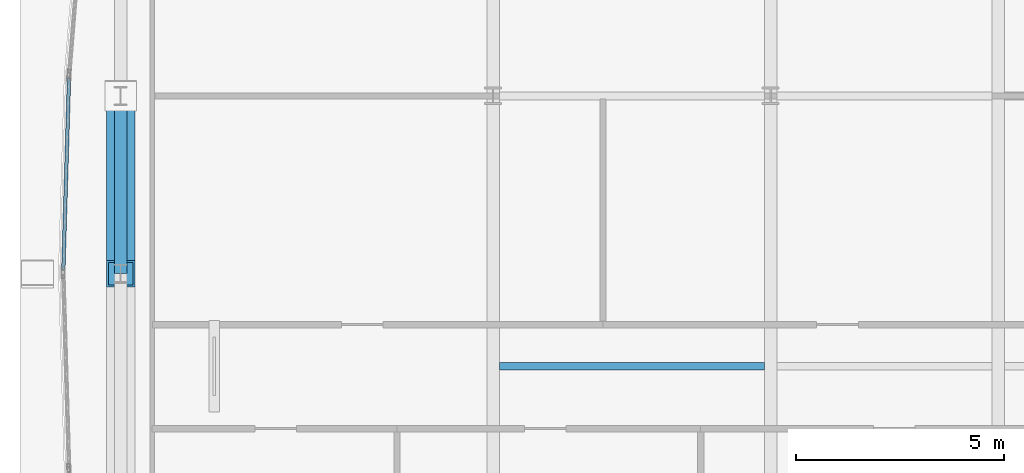
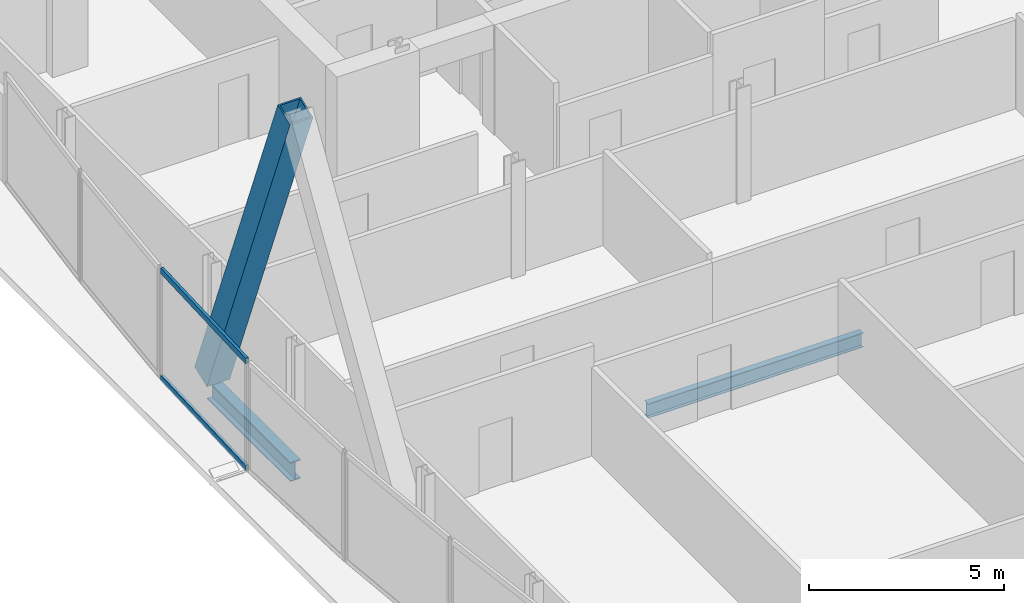
# One storey, part 11 of 30: 3 members, 2 beams, 1 element without a shape of its own.
"""IFC4 building model written with IfcOpenShell, lengths in metres."""

from ifc_helpers import new_model, si_unit, direction, frame, origin, origin_2d, place, context, subcontext, project, spatial, hollow_rectangle, i_section, extrude, material, material_profile, profile_set, type_object, element, aggregate, save


model = new_model("IFC4")

# Units and contexts
model_context = context("Model", 3, precision=1e-05, world=origin(), true_north=direction((0.0, 1.0)))
body_context = subcontext(model_context, "Body", "Model", "MODEL_VIEW")
ifc_project = project(units=[si_unit("LENGTHUNIT", "METRE"), si_unit("AREAUNIT", "SQUARE_METRE"), si_unit("VOLUMEUNIT", "CUBIC_METRE"), si_unit("PLANEANGLEUNIT", "RADIAN"), si_unit("MASSUNIT", "GRAM", prefix="KILO")], contexts=[model_context])

# Site, building, storey
site_placement = place(None, origin())
site = spatial("IfcSite", under=ifc_project, at=site_placement, CompositionType="ELEMENT")
building_placement = place(site_placement, origin())
building = spatial("IfcBuilding", under=site, at=building_placement, Name="Khoronbel Lancet Exchange", CompositionType="ELEMENT")
storey_placement = place(building_placement, frame((0.0, 0.0, 239.0)))
storey = spatial("IfcBuildingStorey", under=building, at=storey_placement, Name="L61", CompositionType="ELEMENT", Elevation=239.0)

# Beams
ifc_material_1 = material(Name="Steel S355", Category="steel")
ifc_material_profile_1 = material_profile(ifc_material_1, i_section(OverallWidth=0.18994140625, OverallDepth=0.449951171875, WebThickness=0.009521484375, FlangeThickness=0.0146484375, at=origin_2d()), Name="IPE 450")
ifc_profile_set_1 = profile_set([ifc_material_profile_1], Name="Steel S355")
beam_type_1 = type_object("IfcBeamType", Name="BM-BJ4", PredefinedType="JOIST", material=ifc_profile_set_1)
beam_1_placement = place(storey_placement, frame((18.375, 29.199951171875, -0.385009765625), z_axis=(1.0, 0.0, 0.0), x_axis=(0.0, 1.0, 0.0)))
element("IfcBeam", 1, at=beam_1_placement, inside=storey, type_object=beam_type_1, Name="Level L61 secondary composite joist J11", PredefinedType="JOIST", context=body_context, shape_type="SweptSolid", body=[
    extrude(i_section(OverallWidth=0.18994140625, OverallDepth=0.449951171875, WebThickness=0.009521484375, FlangeThickness=0.0146484375, at=origin_2d()), origin(), (0.0, 0.0, 1.0), 6.375),
])
ifc_material_profile_2 = material_profile(ifc_material_1, i_section(OverallWidth=0.300048828125, OverallDepth=0.60009765625, WebThickness=0.015380859375, FlangeThickness=0.030029296875, at=origin_2d()), Name="HEB 600")
ifc_profile_set_2 = profile_set([ifc_material_profile_2], Name="Steel S355")
beam_type_2 = type_object("IfcBeamType", Name="BM-BSP2", PredefinedType="SPANDREL", material=ifc_profile_set_2)
beam_2_placement = place(storey_placement, frame((9.27001953125, 35.699951171875, -0.4599609375), z_axis=(0.0, -1.0, 0.0), x_axis=(1.0, 0.0, 0.0)))
element("IfcBeam", 2, at=beam_2_placement, inside=storey, type_object=beam_type_2, Name="Level L61 perimeter spandrel beam SP16", PredefinedType="SPANDREL", context=body_context, shape_type="SweptSolid", body=[
    extrude(i_section(OverallWidth=0.300048828125, OverallDepth=0.60009765625, WebThickness=0.015380859375, FlangeThickness=0.030029296875, at=origin_2d()), origin(), (0.0, 0.0, 1.0), 4.27490234375),
])

# Curtain wall, members
ifc_material_2 = material(Name="Low-E Solar Control Insulating Glass", Category="glass")
curtain_wall_type = type_object("IfcCurtainWallType", Name="CW-4", PredefinedType="NOTDEFINED", material=ifc_material_2)
curtain_wall_placement = place(storey_placement, origin())
curtain_wall = element("IfcCurtainWall", 3, at=curtain_wall_placement, inside=storey, type_object=curtain_wall_type, Name="Unitised curtain wall CW-L61-E07", PredefinedType="NOTDEFINED")
ifc_material_3 = material(Name="Bronze-Anodised Aluminium 6063-T6", Category="aluminium")
ifc_material_profile_3 = material_profile(ifc_material_3, hollow_rectangle(XDim=0.0849609375, YDim=0.179931640625, WallThickness=0.0048828125, at=origin_2d()), Name="ALU TRANSOM 85x180")
ifc_profile_set_3 = profile_set([ifc_material_profile_3], Name="Bronze-Anodised Aluminium 6063-T6")
member_type_1 = type_object("IfcMemberType", Name="MEM-CWT1", PredefinedType="USERDEFINED", material=ifc_profile_set_3)
member_1_placement = place(storey_placement, frame((7.892333984375, 31.52490234375, 0.04248046875), z_axis=(0.029580079929, 0.999562413695, 0.0), x_axis=(-0.999562413695, 0.029580079929, 0.0)))
member_1 = element("IfcMember", 4, at=member_1_placement, type_object=member_type_1, Name="CW4 transom 1.1", ObjectType="TRANSOM", PredefinedType="USERDEFINED", context=body_context, shape_type="SweptSolid", body=[
    extrude(hollow_rectangle(XDim=0.0849609375, YDim=0.179931640625, WallThickness=0.0048828125, at=origin_2d()), origin(), (0.0, 0.0, 1.0), 4.59716796875),
])
member_2_placement = place(storey_placement, frame((7.892333984375, 31.52490234375, 3.3974609375), z_axis=(0.029580079929, 0.999562413695, 0.0), x_axis=(-0.999562413695, 0.029580079929, 0.0)))
member_2 = element("IfcMember", 5, at=member_2_placement, type_object=member_type_1, Name="CW4 transom 1.2", ObjectType="TRANSOM", PredefinedType="USERDEFINED", context=body_context, shape_type="SweptSolid", body=[
    extrude(hollow_rectangle(XDim=0.0849609375, YDim=0.179931640625, WallThickness=0.0048828125, at=origin_2d()), origin(), (0.0, 0.0, 1.0), 4.59716796875),
])
aggregate(curtain_wall, [member_1, member_2])

# Member
ifc_material_4 = material(Name="Steel S460", Category="steel")
ifc_material_profile_4 = material_profile(ifc_material_4, hollow_rectangle(XDim=0.679931640625, YDim=0.679931640625, WallThickness=0.044921875, at=origin_2d()), Name="BOX 680x680x45")
ifc_profile_set_4 = profile_set([ifc_material_profile_4], Name="Steel S460")
member_type_2 = type_object("IfcMemberType", Name="MEM-MB3", PredefinedType="BRACE", material=ifc_profile_set_4)
member_3_placement = place(storey_placement, frame((9.27001953125, 35.699951171875, 0.0), z_axis=(0.0, -0.368039743753, 0.929810059646), x_axis=(1.0, 0.0, 0.0)))
element("IfcMember", 6, at=member_3_placement, inside=storey, type_object=member_type_2, Name="Perimeter lancet brace tier 21 W-P-R", PredefinedType="BRACE", context=body_context, shape_type="SweptSolid", body=[
    extrude(hollow_rectangle(XDim=0.679931640625, YDim=0.679931640625, WallThickness=0.044921875, at=origin_2d()), origin(), (0.0, 0.0, 1.0), 11.615234375),
])

save(model, "model.ifc")
